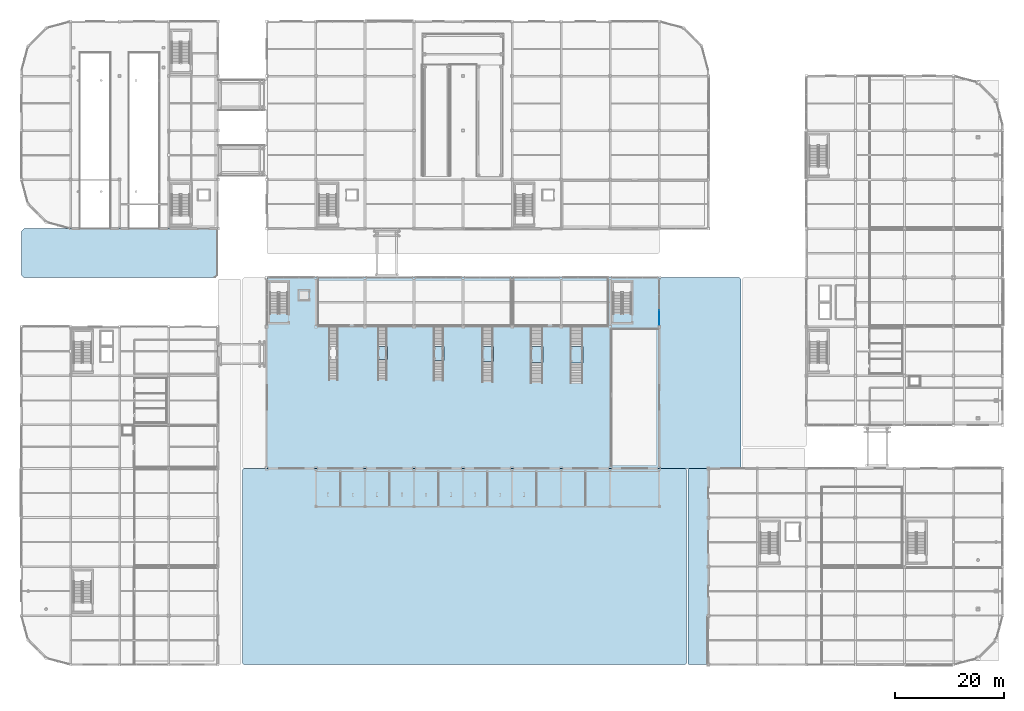
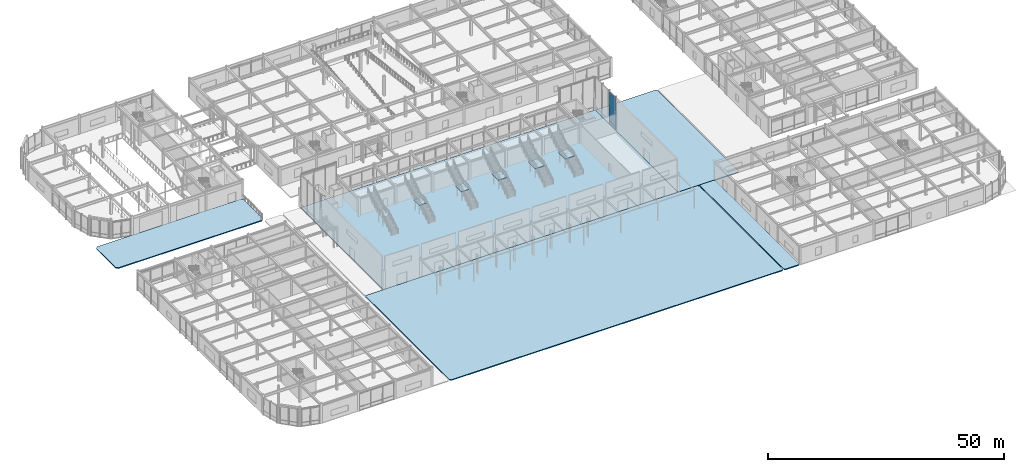
# One storey, part 65 of 123: 10 slabs, 2 plates, 6 elements without a shape of their own.
"""IFC4 building model written with IfcOpenShell, lengths in metres."""

from ifc_helpers import new_model, si_unit, direction, frame, origin, origin_2d, place, context, subcontext, project, spatial, polyline, rectangle, outline, extrude, material, layer, layer_set, type_object, element, aggregate, save


model = new_model("IFC4")

# Units and contexts
model_context = context("Model", 3, precision=1e-05, world=origin(), true_north=direction((0.0, 1.0)))
body_context = subcontext(model_context, "Body", "Model", "MODEL_VIEW")
ifc_project = project(units=[si_unit("LENGTHUNIT", "METRE"), si_unit("AREAUNIT", "SQUARE_METRE"), si_unit("VOLUMEUNIT", "CUBIC_METRE"), si_unit("PLANEANGLEUNIT", "RADIAN"), si_unit("MASSUNIT", "GRAM", prefix="KILO")], contexts=[model_context])

# Site, building, storey
site_placement = place(None, origin())
site = spatial("IfcSite", under=ifc_project, at=site_placement, CompositionType="ELEMENT")
building_placement = place(site_placement, origin())
building = spatial("IfcBuilding", under=site, at=building_placement, Name="Suzunagisa Mobility Hub", CompositionType="ELEMENT")
storey_placement = place(building_placement, origin())
storey = spatial("IfcBuildingStorey", under=building, at=storey_placement, Name="L00", CompositionType="ELEMENT", Elevation=0.0)

# Slabs
ifc_material_1 = material(Name="Concrete C35/45", Category="concrete")
ifc_layer_1 = layer(ifc_material_1, 0.2451171875)
ifc_layer_set_1 = layer_set([ifc_layer_1], Name="Concrete C35/45")
slab_type_1 = type_object("IfcSlabType", Name="Composite Slab SL-07 245mm", PredefinedType="FLOOR", material=ifc_layer_set_1)
slab_1_placement = place(storey_placement, frame((0.0, 0.0, -0.2451171875)))
element("IfcSlab", 1, at=slab_1_placement, inside=storey, type_object=slab_type_1, Name="L00 V2 Ramp Portal Driveway Apron", PredefinedType="FLOOR", context=body_context, shape_type="SweptSolid", body=[
    extrude(outline(polyline([(0.449951171875, 71.0), (35.550048828125, 71.0), (36.0, 71.449951171875), (36.0, 79.550048828125), (35.550048828125, 80.0), (0.449951171875, 80.0), (0.0, 79.550048828125), (0.0, 71.449951171875), (0.449951171875, 71.0)])), origin(), (0.0, 0.0, 1.0), 0.2451171875),
])
slab_2_placement = place(storey_placement, frame((0.0, 0.0, -0.2451171875)))
element("IfcSlab", 2, at=slab_2_placement, inside=storey, type_object=slab_type_1, Name="L00 V1 South Civic Square Forecourt Paving", PredefinedType="FLOOR", context=body_context, shape_type="SweptSolid", body=[
    extrude(outline(polyline([(40.7900390625, 0.0), (121.75, 0.0), (122.0, 0.25), (122.0, 35.75), (121.75, 36.0), (40.7900390625, 36.0), (40.5400390625, 35.75), (40.5400390625, 0.25), (40.7900390625, 0.0)])), origin(), (0.0, 0.0, 1.0), 0.2451171875),
])
slab_3_placement = place(storey_placement, frame((0.0, 0.0, -0.2451171875)))
element("IfcSlab", 3, at=slab_3_placement, inside=storey, type_object=slab_type_1, Name="L00 V1 East Square Mobility Passage Apron", PredefinedType="FLOOR", context=body_context, shape_type="SweptSolid", body=[
    extrude(outline(polyline([(117.25, 36.0), (131.75, 36.0), (132.0, 36.25), (132.0, 70.75), (131.75, 71.0), (117.25, 71.0), (117.0, 70.75), (117.0, 36.25), (117.25, 36.0)])), origin(), (0.0, 0.0, 1.0), 0.2451171875),
])
slab_4_placement = place(storey_placement, frame((0.0, 0.0, -0.2451171875)))
element("IfcSlab", 4, at=slab_4_placement, inside=storey, type_object=slab_type_1, Name="L00 V6S West Colonnade Threshold Apron", PredefinedType="FLOOR", context=body_context, shape_type="SweptSolid", body=[
    extrude(outline(polyline([(122.489990234375, 0.0), (125.75, 0.0), (126.0, 0.25), (126.0, 35.75), (125.75, 36.0), (122.489990234375, 36.0), (122.239990234375, 35.75), (122.239990234375, 0.25), (122.489990234375, 0.0)])), origin(), (0.0, 0.0, 1.0), 0.2451171875),
])
ifc_layer_2 = layer(ifc_material_1, 0.280029296875)
ifc_layer_set_2 = layer_set([ifc_layer_2], Name="Concrete C35/45")
slab_type_2 = type_object("IfcSlabType", Name="Composite Slab SL-10 280mm", PredefinedType="FLOOR", material=ifc_layer_set_2)
slab_5_placement = place(storey_placement, frame((0.0, 0.0, -0.280029296875)))
element("IfcSlab", 5, at=slab_5_placement, inside=storey, type_object=slab_type_2, Name="L00 V1 Floor Slab", PredefinedType="FLOOR", context=body_context, shape_type="SweptSolid", body=[
    extrude(outline(polyline([(45.0, 36.0), (117.0, 36.0), (117.0, 71.0), (45.0, 71.0), (45.0, 36.0)])), origin(), (0.0, 0.0, 1.0), 0.280029296875),
])

# Stair, slab
stair_type_1 = type_object("IfcStairType", Name="Forecourt Ceremonial Straight Stair FS-02 W2100", PredefinedType="STRAIGHT_RUN_STAIR", material=ifc_material_1)
stair_1_placement = place(storey_placement, origin())
stair_1 = element("IfcStair", 6, at=stair_1_placement, inside=storey, type_object=stair_type_1, Name="Concourse Mezzanine Straight Stair FS-02", PredefinedType="STRAIGHT_RUN_STAIR")
ifc_layer_3 = layer(ifc_material_1, 0.199951171875)
ifc_layer_set_3 = layer_set([ifc_layer_3], Name="Concrete C35/45")
slab_type_3 = type_object("IfcSlabType", Name="Core Stair Half-Landing Slab SL-SLND", PredefinedType="LANDING", material=ifc_layer_set_3)
slab_6_placement = place(storey_placement, frame((0.0, 0.0, 2.35009765625)))
slab_6 = element("IfcSlab", 7, at=slab_6_placement, type_object=slab_type_3, Name="Concourse Stair Mid-Landing FS-02-L1", PredefinedType="LANDING", context=body_context, shape_type="SweptSolid", body=[
    extrude(outline(polyline([(65.300048828125, 55.989990234375), (67.10009765625, 55.989990234375), (67.10009765625, 58.340087890625), (65.300048828125, 58.340087890625), (65.300048828125, 55.989990234375)])), origin(), (0.0, 0.0, 1.0), 0.199951171875),
])
aggregate(stair_1, [slab_6])

stair_type_2 = type_object("IfcStairType", Name="Forecourt Ceremonial Straight Stair FS-03 W2400", PredefinedType="STRAIGHT_RUN_STAIR", material=ifc_material_1)
stair_2_placement = place(storey_placement, origin())
stair_2 = element("IfcStair", 8, at=stair_2_placement, inside=storey, type_object=stair_type_2, Name="Concourse Mezzanine Straight Stair FS-03", PredefinedType="STRAIGHT_RUN_STAIR")
slab_7_placement = place(storey_placement, frame((0.0, 0.0, 2.35009765625)))
slab_7 = element("IfcSlab", 9, at=slab_7_placement, type_object=slab_type_3, Name="Concourse Stair Mid-Landing FS-03-L1", PredefinedType="LANDING", context=body_context, shape_type="SweptSolid", body=[
    extrude(outline(polyline([(75.535888671875, 55.862060546875), (77.464111328125, 55.862060546875), (77.464111328125, 58.340087890625), (75.535888671875, 58.340087890625), (75.535888671875, 55.862060546875)])), origin(), (0.0, 0.0, 1.0), 0.199951171875),
])
aggregate(stair_2, [slab_7])

stair_type_3 = type_object("IfcStairType", Name="Forecourt Ceremonial Straight Stair FS-04 W2700", PredefinedType="STRAIGHT_RUN_STAIR", material=ifc_material_1)
stair_3_placement = place(storey_placement, origin())
stair_3 = element("IfcStair", 10, at=stair_3_placement, inside=storey, type_object=stair_type_3, Name="Concourse Mezzanine Straight Stair FS-04", PredefinedType="STRAIGHT_RUN_STAIR")
slab_8_placement = place(storey_placement, frame((0.0, 0.0, 2.35009765625)))
slab_8 = element("IfcSlab", 11, at=slab_8_placement, type_object=slab_type_3, Name="Concourse Stair Mid-Landing FS-04-L1", PredefinedType="LANDING", context=body_context, shape_type="SweptSolid", body=[
    extrude(outline(polyline([(84.427978515625, 55.64599609375), (86.572021484375, 55.64599609375), (86.572021484375, 58.340087890625), (84.427978515625, 58.340087890625), (84.427978515625, 55.64599609375)])), origin(), (0.0, 0.0, 1.0), 0.199951171875),
])
aggregate(stair_3, [slab_8])

stair_type_4 = type_object("IfcStairType", Name="Forecourt Ceremonial Straight Stair FS-05 W3000", PredefinedType="STRAIGHT_RUN_STAIR", material=ifc_material_1)
stair_4_placement = place(storey_placement, origin())
stair_4 = element("IfcStair", 12, at=stair_4_placement, inside=storey, type_object=stair_type_4, Name="Concourse Mezzanine Straight Stair FS-05", PredefinedType="STRAIGHT_RUN_STAIR")
slab_9_placement = place(storey_placement, frame((0.0, 0.0, 2.35009765625)))
slab_9 = element("IfcSlab", 13, at=slab_9_placement, type_object=slab_type_3, Name="Concourse Stair Mid-Landing FS-05-L1", PredefinedType="LANDING", context=body_context, shape_type="SweptSolid", body=[
    extrude(outline(polyline([(93.320068359375, 55.429931640625), (95.679931640625, 55.429931640625), (95.679931640625, 58.340087890625), (93.320068359375, 58.340087890625), (93.320068359375, 55.429931640625)])), origin(), (0.0, 0.0, 1.0), 0.199951171875),
])
aggregate(stair_4, [slab_9])

stair_type_5 = type_object("IfcStairType", Name="Forecourt Ceremonial Straight Stair FS-06 W3400", PredefinedType="STRAIGHT_RUN_STAIR", material=ifc_material_1)
stair_5_placement = place(storey_placement, origin())
stair_5 = element("IfcStair", 14, at=stair_5_placement, inside=storey, type_object=stair_type_5, Name="Concourse Mezzanine Straight Stair FS-06", PredefinedType="STRAIGHT_RUN_STAIR")
slab_10_placement = place(storey_placement, frame((0.0, 0.0, 2.35009765625)))
slab_10 = element("IfcSlab", 15, at=slab_10_placement, type_object=slab_type_3, Name="Concourse Stair Mid-Landing FS-06-L1", PredefinedType="LANDING", context=body_context, shape_type="SweptSolid", body=[
    extrude(outline(polyline([(100.60009765625, 55.389892578125), (103.0, 55.389892578125), (103.0, 58.340087890625), (100.60009765625, 58.340087890625), (100.60009765625, 55.389892578125)])), origin(), (0.0, 0.0, 1.0), 0.199951171875),
])
aggregate(stair_5, [slab_10])

# Curtain wall, plates
ifc_material_2 = material(Name="Thermally Broken Anodized Aluminum and Low-E Glazing", Category="aluminium")
curtain_wall_type = type_object("IfcCurtainWallType", Name="Unitised Curtain Wall CW-34 8500x8600", PredefinedType="USERDEFINED", material=ifc_material_2)
curtain_wall_placement = place(storey_placement, origin())
curtain_wall = element("IfcCurtainWall", 16, at=curtain_wall_placement, inside=storey, type_object=curtain_wall_type, Name="L00 Unitised Curtain Wall CW-34", ObjectType="UNITISED CURTAIN WALL", PredefinedType="USERDEFINED")
ifc_material_3 = material(Name="Low-E Solar-Control Double Glazing", Category="glass")
ifc_layer_4 = layer(ifc_material_3, 0.031982421875)
ifc_layer_set_4 = layer_set([ifc_layer_4], Name="Low-E Solar-Control Double Glazing")
plate_type = type_object("IfcPlateType", Name="Low-E Double Glazed Curtain Panel GP-02 32mm", PredefinedType="CURTAIN_PANEL", material=ifc_layer_set_4)
plate_1_placement = place(storey_placement, frame((117.0, 63.674560546875, 0.06298828125), z_axis=(0.0, 0.0, 1.0), x_axis=(0.0, 1.0, 0.0)))
plate_1 = element("IfcPlate", 17, at=plate_1_placement, type_object=plate_type, Name="Curtain Wall Glazing Panel 34-P1.1", PredefinedType="CURTAIN_PANEL", context=body_context, shape_type="SweptSolid", body=[
    extrude(rectangle(XDim=2.72314453125, YDim=0.031982421875, at=origin_2d()), origin(), (0.0, 0.0, 1.0), 0.8564453125),
])
plate_2_placement = place(storey_placement, frame((117.0, 63.674560546875, 0.98046875), z_axis=(0.0, 0.0, 1.0), x_axis=(0.0, 1.0, 0.0)))
plate_2 = element("IfcPlate", 18, at=plate_2_placement, type_object=plate_type, Name="Curtain Wall Glazing Panel 34-P1.2", PredefinedType="CURTAIN_PANEL", context=body_context, shape_type="SweptSolid", body=[
    extrude(rectangle(XDim=2.72314453125, YDim=0.031982421875, at=origin_2d()), origin(), (0.0, 0.0, 1.0), 7.53662109375),
])
aggregate(curtain_wall, [plate_1, plate_2])

save(model, "model.ifc")
